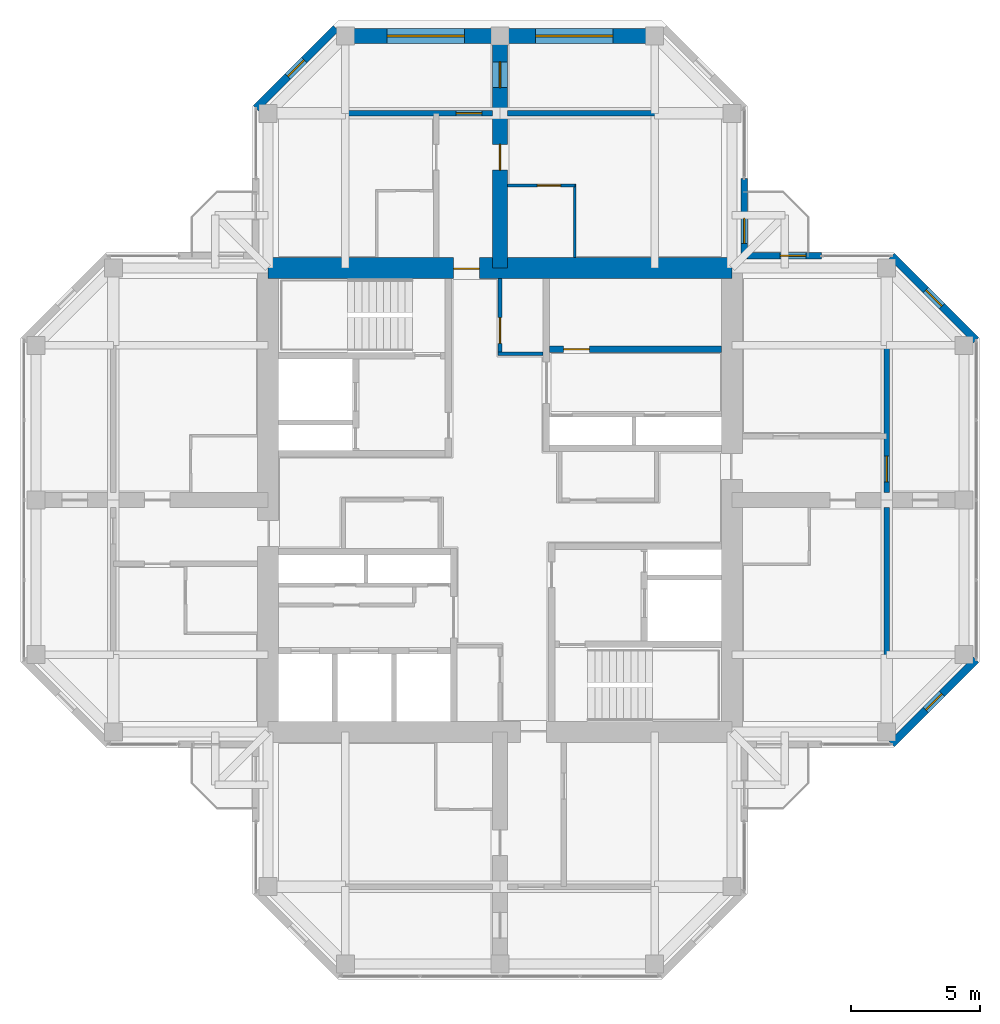
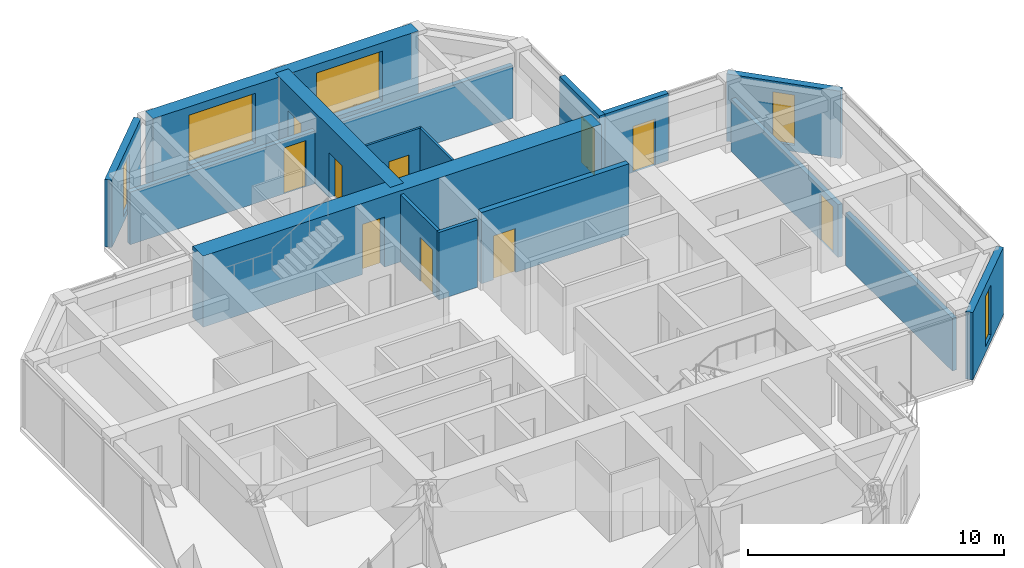
# One storey, part 11 of 13: 17 walls, 10 doors, 5 windows, 15 openings.
"""IFC4 building model written with IfcOpenShell, lengths in metres."""

import ifcopenshell
import ifcopenshell.guid

model = None  # the IFC model being written
_history = None  # IfcOwnerHistory: only IFC2X3 demands one
_inside = {}  # id of a spatial element -> (the spatial element, [elements in it])
_under = {}  # id of a project, library or spatial element -> (it, [spatial elements below it])
_declared = {}  # id of a project -> (the project, [libraries it declares])
_typed = {}  # id of a type object -> (the type object, [elements of that type])
_made_of = {}  # id of a material, layer set ... -> (it, [elements and type objects made of it])


def new_model(schema):
    """Start an empty IFC model of exactly this schema.

    Asked for "IFC4X3", IfcOpenShell would pick the latest addendum, in which some entities
    have other attributes; the version numbers below select the first issue.
    IFC2X3 requires an IfcOwnerHistory on every rooted entity: one is made here for all.
    """
    global model, _history
    if schema == "IFC4X3":
        model = ifcopenshell.file(schema_version=(4, 3, 0, 0))
    else:
        model = ifcopenshell.file(schema=schema)
    _inside.clear()
    _under.clear()
    _declared.clear()
    _typed.clear()
    _made_of.clear()
    _history = None
    if model.schema == "IFC2X3":
        org = make("IfcOrganization", Name="unknown")
        user = make(
            "IfcPersonAndOrganization",
            ThePerson=make("IfcPerson", FamilyName="unknown"),
            TheOrganization=org,
        )
        app = make(
            "IfcApplication",
            ApplicationDeveloper=org,
            Version="unknown",
            ApplicationFullName="unknown",
            ApplicationIdentifier="unknown",
        )
        _history = make(
            "IfcOwnerHistory",
            OwningUser=user,
            OwningApplication=app,
            ChangeAction="ADDED",
            CreationDate=0,
        )
    return model


def make(cls, **values):
    """One entity of the class cls with the attributes given. An attribute that is None is left unset."""
    return model.create_entity(
        cls, **{name: value for name, value in values.items() if value is not None}
    )


def rooted(cls, **values):
    """An entity with a GlobalId (a new one), such as an element, a storey or a relation."""
    return make(cls, GlobalId=ifcopenshell.guid.new(), OwnerHistory=_history, **values)


def si_unit(unit_type, name, prefix=None):
    """IfcSIUnit, for example si_unit("LENGTHUNIT", "METRE", prefix="MILLI")."""
    return make("IfcSIUnit", UnitType=unit_type, Prefix=prefix, Name=name)


def assignment(units):
    """IfcUnitAssignment: the units of a project."""
    return None if units is None else make("IfcUnitAssignment", Units=units)


def point(xyz):
    """IfcCartesianPoint."""
    return None if xyz is None else make("IfcCartesianPoint", Coordinates=xyz)


def direction(xyz):
    """IfcDirection."""
    return None if xyz is None else make("IfcDirection", DirectionRatios=xyz)


def frame(location, z_axis=None, x_axis=None):
    """IfcAxis2Placement3D, a coordinate frame: its origin and axes. An axis left out is left unset."""
    return make(
        "IfcAxis2Placement3D",
        Location=point(location),
        Axis=direction(z_axis),
        RefDirection=direction(x_axis),
    )


def frame_2d(location, x_axis=None):
    """IfcAxis2Placement2D, a coordinate frame in the plane: its origin and x axis."""
    return make(
        "IfcAxis2Placement2D", Location=point(location), RefDirection=direction(x_axis)
    )


def origin():
    """The frame at (0, 0, 0) with its axes left unset."""
    return frame((0.0, 0.0, 0.0))


def place(relative_to, where):
    """IfcLocalPlacement: puts the frame where relative to a parent placement (None: the world)."""
    return make(
        "IfcLocalPlacement", PlacementRelTo=relative_to, RelativePlacement=where
    )


def context(
    kind, dimensions, precision=None, world=None, true_north=None, identifier=None
):
    """IfcGeometricRepresentationContext, for example the 3D "Model" context."""
    return make(
        "IfcGeometricRepresentationContext",
        ContextIdentifier=identifier,
        ContextType=kind,
        CoordinateSpaceDimension=dimensions,
        Precision=precision,
        WorldCoordinateSystem=world,
        TrueNorth=true_north,
    )


def subcontext(parent, identifier, kind, view, scale=None):
    """IfcGeometricRepresentationSubContext, for example "Body" below "Model"."""
    return make(
        "IfcGeometricRepresentationSubContext",
        ContextIdentifier=identifier,
        ContextType=kind,
        ParentContext=parent,
        TargetScale=scale,
        TargetView=view,
    )


def project(units=None, contexts=None):
    """IfcProject with its units and contexts."""
    return rooted(
        "IfcProject",
        Name="project",
        RepresentationContexts=contexts,
        UnitsInContext=assignment(units),
    )


def spatial(cls, under=None, at=None, **own):
    """A site, building, storey or space (cls), placed at a placement, below another one or the project."""
    s = rooted(cls, ObjectPlacement=at, **own)
    if under is not None:
        _under.setdefault(under.id(), (under, []))[1].append(s)
    return s


def profile(cls, at=None, kind="AREA", **sizes):
    """A parametric profile (cls). Its sizes go by their IFC names, for example OverallWidth=200.0."""
    return make(cls, ProfileType=kind, Position=at, **sizes)


def rectangle(**sizes):
    """IfcRectangleProfileDef."""
    return profile("IfcRectangleProfileDef", **sizes)


def hollow_rectangle(**sizes):
    """IfcRectangleHollowProfileDef."""
    return profile("IfcRectangleHollowProfileDef", **sizes)


def extrude(swept, where, along, depth):
    """IfcExtrudedAreaSolid: the profile swept, set in the frame where, extruded along a direction by depth."""
    return make(
        "IfcExtrudedAreaSolid",
        SweptArea=swept,
        Position=where,
        ExtrudedDirection=direction(along),
        Depth=depth,
    )


def shape(context_of_items, identifier, shape_type, items):
    """IfcShapeRepresentation: the items that make up one representation, for example the "Body"."""
    return make(
        "IfcShapeRepresentation",
        ContextOfItems=context_of_items,
        RepresentationIdentifier=identifier,
        RepresentationType=shape_type,
        Items=items,
    )


def material(Name=None, Category=None):
    """IfcMaterial."""
    return make("IfcMaterial", Name=Name, Category=Category)


def layer(
    of_material, thickness, ventilated=None, Name=None, Category=None, Priority=None
):
    """IfcMaterialLayer: one layer of a wall or slab, of a material (None: an air gap)."""
    return make(
        "IfcMaterialLayer",
        Material=of_material,
        LayerThickness=thickness,
        IsVentilated=ventilated,
        Name=Name,
        Category=Category,
        Priority=Priority,
    )


def layer_set(layers, Name=None):
    """IfcMaterialLayerSet."""
    return make("IfcMaterialLayerSet", MaterialLayers=layers, LayerSetName=Name)


def constituent(of_material, Name=None, Category=None, fraction=None):
    """IfcMaterialConstituent: one of the materials an element consists of."""
    return make(
        "IfcMaterialConstituent",
        Name=Name,
        Material=of_material,
        Fraction=fraction,
        Category=Category,
    )


def constituent_set(constituents=None, Name=None):
    """IfcMaterialConstituentSet."""
    return make(
        "IfcMaterialConstituentSet", Name=Name, MaterialConstituents=constituents
    )


def made_of(thing, what):
    """Note that an element or type object is made of a material, layer set ...; save() writes the relation."""
    if what is not None:
        _made_of.setdefault(what.id(), (what, []))[1].append(thing)
    return thing


def type_object(cls, material=None, **own):
    """A type object (cls), such as IfcWallType, which elements share."""
    return made_of(rooted(cls, **own), material)


def element(
    cls,
    number,
    at=None,
    inside=None,
    cuts=None,
    type_object=None,
    material=None,
    context=None,
    identifier="Body",
    shape_type=None,
    held_by="IfcProductDefinitionShape",
    body=None,
    shapes=None,
    **own,
):
    """One element of the class cls, such as IfcWall. Its Tag is "e" and its number.

    at: its placement. inside: the storey or other place that contains it. cuts: it is an
    opening in that element (IfcRelVoidsElement). A single representation is given by context,
    identifier, shape_type and body (its items); several are given by shapes. held_by: the class
    of the entity that holds the representations. save() writes the other relations.
    """
    e = rooted(cls, Tag="e%d" % number, ObjectPlacement=at, **own)
    if body is not None:
        shapes = [shape(context, identifier, shape_type, body)]
    if shapes is not None:
        e.Representation = make(held_by, Representations=shapes)
    if inside is not None:
        _inside.setdefault(inside.id(), (inside, []))[1].append(e)
    if cuts is not None:
        rooted(
            "IfcRelVoidsElement", RelatingBuildingElement=cuts, RelatedOpeningElement=e
        )
    if type_object is not None:
        _typed.setdefault(type_object.id(), (type_object, []))[1].append(e)
    return made_of(e, material)


def fill(opening, filler):
    """IfcRelFillsElement: the door or window that sits in an opening."""
    return rooted(
        "IfcRelFillsElement",
        RelatingOpeningElement=opening,
        RelatedBuildingElement=filler,
    )


def aggregate(whole, parts):
    """IfcRelAggregates: a whole, such as a stair, and the parts it consists of."""
    return rooted("IfcRelAggregates", RelatingObject=whole, RelatedObjects=parts)


def save(model, path):
    """Write the relations noted so far, then the file.

    IfcRelAggregates (storeys below a building ...), IfcRelContainedInSpatialStructure (elements
    in a storey), IfcRelDefinesByType, IfcRelAssociatesMaterial and IfcRelDeclares: one each for
    every whole, place, type object, material and project.
    """
    for whole, parts in _under.values():
        aggregate(whole, parts)
    for where, things in _inside.values():
        rooted(
            "IfcRelContainedInSpatialStructure",
            RelatedElements=things,
            RelatingStructure=where,
        )
    for kind, things in _typed.values():
        rooted("IfcRelDefinesByType", RelatedObjects=things, RelatingType=kind)
    for what, things in _made_of.values():
        rooted("IfcRelAssociatesMaterial", RelatedObjects=things, RelatingMaterial=what)
    for by, libraries in _declared.values():
        rooted("IfcRelDeclares", RelatingContext=by, RelatedDefinitions=libraries)
    model.write(path)


model = new_model("IFC4")

# Units and contexts
model_context = context("Model", 3, precision=1e-05, world=origin(), true_north=direction((0.0, 1.0)))
body_context = subcontext(model_context, "Body", "Model", "MODEL_VIEW")
ifc_project = project(units=[si_unit("LENGTHUNIT", "METRE"), si_unit("AREAUNIT", "SQUARE_METRE"), si_unit("VOLUMEUNIT", "CUBIC_METRE"), si_unit("PLANEANGLEUNIT", "RADIAN"), si_unit("MASSUNIT", "GRAM", prefix="KILO")], contexts=[model_context])

# Site, building, storey
site_placement = place(None, origin())
site = spatial("IfcSite", under=ifc_project, at=site_placement, CompositionType="ELEMENT")
building_placement = place(site_placement, origin())
building = spatial("IfcBuilding", under=site, at=building_placement, Name="Torre Cruceta", CompositionType="ELEMENT")
storey_placement = place(building_placement, frame((0.0, 0.0, 274.699951171875)))
storey = spatial("IfcBuildingStorey", under=building, at=storey_placement, Name="L71", CompositionType="ELEMENT", Elevation=274.699951171875)

# Wall
ifc_material_1 = material(Name="Water-resistant plasterboard on steel studs", Category="steel")
ifc_layer_1 = layer(ifc_material_1, 0.10009765625)
ifc_layer_set_1 = layer_set([ifc_layer_1], Name="Water-resistant plasterboard on steel studs")
wall_type_1 = type_object("IfcWallType", Name="BATHROOM WALL 100", PredefinedType="PARTITIONING", material=ifc_layer_set_1)
wall_1_placement = place(storey_placement, frame((2.89990234375, 9.39990234375, 0.0), z_axis=(0.0, 0.0, 1.0), x_axis=(0.0, 1.0, 0.0)))
element("IfcWall", 1, at=wall_1_placement, inside=storey, type_object=wall_type_1, Name="PT4 L71-N-U1RBB", PredefinedType="PARTITIONING", context=body_context, shape_type="SweptSolid", body=[
    extrude(rectangle(XDim=2.85009765625, YDim=0.10009765625, at=frame_2d((1.425048828125, 0.0))), origin(), (0.0, 0.0, 1.0), 3.219970703125),
])

# Wall, opening, door
wall_2_placement = place(storey_placement, frame((2.89990234375, 12.199951171875, 0.0), z_axis=(0.0, 0.0, 1.0), x_axis=(-1.0, 0.0, 0.0)))
wall_2 = element("IfcWall", 2, at=wall_2_placement, inside=storey, type_object=wall_type_1, Name="PT4 L71-N-U1RBS", PredefinedType="PARTITIONING", context=body_context, shape_type="SweptSolid", body=[
    extrude(rectangle(XDim=2.599853515625, YDim=0.10009765625, at=frame_2d((1.2998046875, 0.0))), origin(), (0.0, 0.0, 1.0), 3.219970703125),
])
opening_1_placement = place(wall_2_placement, frame((0.550048828125, 0.0, 0.0)))
opening_1 = element("IfcOpeningElement", 3, at=opening_1_placement, cuts=wall_2, Name="Opening D7", PredefinedType="OPENING", context=body_context, shape_type="SweptSolid", body=[
    extrude(rectangle(XDim=0.89990234375, YDim=2.10009765625, at=frame_2d((0.449951171875, 1.050048828125))), frame((0.0, 0.06005859375, 0.0), z_axis=(0.0, -1.0, 0.0), x_axis=(1.0, 0.0, 0.0)), (0.0, 0.0, 1.0), 0.1201171875),
])
ifc_material_2 = material(Name="Timber door", Category="wood")
door_type_1 = type_object("IfcDoorType", Name="BATHROOM DOOR 900X2100", OperationType="SINGLE_SWING_LEFT", PredefinedType="DOOR", material=ifc_material_2)
door_1_placement = place(opening_1_placement, origin())
door_1 = element("IfcDoor", 4, at=door_1_placement, inside=storey, type_object=door_type_1, Name="D7 L71-N-U1RBS-D1", OperationType="SINGLE_SWING_LEFT", OverallHeight=2.10009765625, OverallWidth=0.89990234375, PredefinedType="DOOR", context=body_context, shape_type="SweptSolid", body=[
    extrude(rectangle(XDim=0.89990234375, YDim=2.10009765625, at=frame_2d((0.449951171875, 1.050048828125))), frame((0.0, 0.02490234375, 0.0), z_axis=(0.0, -1.0, 0.0), x_axis=(1.0, 0.0, 0.0)), (0.0, 0.0, 1.0), 0.050048828125),
])
fill(opening_1, door_1)

ifc_material_3 = material(Name="Concrete G60 (fck 60 MPa)", Category="concrete")
ifc_layer_2 = layer(ifc_material_3, 0.25)
ifc_layer_set_2 = layer_set([ifc_layer_2], Name="Concrete G60 (fck 60 MPa)")
wall_type_2 = type_object("IfcWallType", Name="CORE INNER WALL 250 G60", PredefinedType="SHEAR", material=ifc_layer_set_2)
wall_3_placement = place(storey_placement, frame((1.925048828125, 5.85009765625, 0.0), z_axis=(0.0, 0.0, 1.0), x_axis=(1.0, 0.0, 0.0)))
wall_3 = element("IfcWall", 5, at=wall_3_placement, inside=storey, type_object=wall_type_2, Name="CW4 L71 NE-LV", PredefinedType="SHEAR", context=body_context, shape_type="SweptSolid", body=[
    extrude(rectangle(XDim=6.675048828125, YDim=0.25, at=frame_2d((3.33740234375, 0.0))), origin(), (0.0, 0.0, 1.0), 3.400146484375),
])
opening_2_placement = place(wall_3_placement, frame((0.5458984375, 0.0, 0.0)))
opening_2 = element("IfcOpeningElement", 6, at=opening_2_placement, cuts=wall_3, Name="Opening D3", PredefinedType="OPENING", context=body_context, shape_type="SweptSolid", body=[
    extrude(rectangle(XDim=1.0, YDim=2.10009765625, at=frame_2d((0.5, 1.050048828125))), frame((0.0, 0.135009765625, 0.0), z_axis=(0.0, -1.0, 0.0), x_axis=(1.0, 0.0, 0.0)), (0.0, 0.0, 1.0), 0.27001953125),
])
ifc_material_4 = material(Name="Steel DX51D", Category="steel")
ifc_constituent_1 = constituent(ifc_material_4, Name="Leaf and frame")
ifc_material_5 = material(Name="Polyester powder coating", Category="paint")
ifc_constituent_2 = constituent(ifc_material_5, Name="Finish")
ifc_constituent_set_1 = constituent_set(constituents=[ifc_constituent_1, ifc_constituent_2], Name="Steel fire door")
door_type_2 = type_object("IfcDoorType", Name="FIRE DOOR 1000X2100", OperationType="SINGLE_SWING_LEFT", PredefinedType="DOOR", material=ifc_constituent_set_1)
door_2_placement = place(opening_2_placement, origin())
door_2 = element("IfcDoor", 7, at=door_2_placement, inside=storey, type_object=door_type_2, Name="D3 L71 NE-HR1", OperationType="SINGLE_SWING_LEFT", OverallHeight=2.10009765625, OverallWidth=1.0, PredefinedType="DOOR", context=body_context, shape_type="SweptSolid", body=[
    extrude(rectangle(XDim=1.0, YDim=2.10009765625, at=frame_2d((0.5, 1.050048828125))), frame((0.0, 0.02490234375, 0.0), z_axis=(0.0, -1.0, 0.0), x_axis=(1.0, 0.0, 0.0)), (0.0, 0.0, 1.0), 0.050048828125),
])
fill(opening_2, door_2)

ifc_material_6 = material(Name="Concrete G60 (fck 60 MPa)", Category="concrete")
ifc_layer_3 = layer(ifc_material_6, 0.800048828125)
ifc_layer_set_3 = layer_set([ifc_layer_3], Name="Concrete G60 (fck 60 MPa)")
wall_type_3 = type_object("IfcWallType", Name="CORE WALL 800 G60", PredefinedType="SHEAR", material=ifc_layer_set_3)
wall_4_placement = place(storey_placement, frame((9.0, 9.0, 0.0), z_axis=(0.0, 0.0, 1.0), x_axis=(-1.0, 0.0, 0.0)))
wall_4 = element("IfcWall", 8, at=wall_4_placement, inside=storey, type_object=wall_type_3, Name="CW3 L71 CW-N", PredefinedType="SHEAR", context=body_context, shape_type="SweptSolid", body=[
    extrude(rectangle(XDim=18.0, YDim=0.800048828125, at=frame_2d((9.0, 0.0))), origin(), (0.0, 0.0, 1.0), 3.400146484375),
])
opening_3_placement = place(wall_4_placement, frame((9.800048828125, 0.0, 0.0)))
opening_3 = element("IfcOpeningElement", 9, at=opening_3_placement, cuts=wall_4, Name="Opening D4", PredefinedType="OPENING", context=body_context, shape_type="SweptSolid", body=[
    extrude(rectangle(XDim=1.0, YDim=2.39990234375, at=frame_2d((0.5, 1.199951171875))), frame((0.0, 0.409912109375, 0.0), z_axis=(0.0, -1.0, 0.0), x_axis=(1.0, 0.0, 0.0)), (0.0, 0.0, 1.0), 0.820068359375),
])
ifc_material_7 = material(Name="Steel DX51D", Category="steel")
ifc_constituent_3 = constituent(ifc_material_7, Name="Leaf and frame")
ifc_material_8 = material(Name="Polyester powder coating", Category="paint")
ifc_constituent_4 = constituent(ifc_material_8, Name="Finish")
ifc_constituent_set_2 = constituent_set(constituents=[ifc_constituent_3, ifc_constituent_4], Name="Steel fire door")
door_type_3 = type_object("IfcDoorType", Name="CORE ARM DOOR 1000X2400", OperationType="SINGLE_SWING_RIGHT", PredefinedType="DOOR", material=ifc_constituent_set_2)
door_3_placement = place(opening_3_placement, origin())
door_3 = element("IfcDoor", 10, at=door_3_placement, inside=storey, type_object=door_type_3, Name="D4 L71 CW-N", OperationType="SINGLE_SWING_RIGHT", OverallHeight=2.39990234375, OverallWidth=1.0, PredefinedType="DOOR", context=body_context, shape_type="SweptSolid", body=[
    extrude(rectangle(XDim=1.0, YDim=2.39990234375, at=frame_2d((0.5, 1.199951171875))), frame((0.0, 0.05517578125, 0.0), z_axis=(0.0, -1.0, 0.0), x_axis=(1.0, 0.0, 0.0)), (0.0, 0.0, 1.0), 0.050048828125),
])
fill(opening_3, door_3)

# Wall, opening, window
ifc_material_9 = material(Name="Concrete G30 (fck 30 MPa)", Category="concrete")
ifc_layer_4 = layer(ifc_material_9, 0.300048828125)
ifc_layer_set_4 = layer_set([ifc_layer_4], Name="Concrete G30 (fck 30 MPa)")
wall_type_4 = type_object("IfcWallType", Name="EXPOSED CONCRETE FACADE WALL 300", PredefinedType="SOLIDWALL", material=ifc_layer_set_4)
wall_5_placement = place(storey_placement, frame((15.194580078125, -9.469970703125, 0.0), z_axis=(0.0, 0.0, 1.0), x_axis=(0.707106781187, 0.707106781187, 0.0)))
wall_5 = element("IfcWall", 11, at=wall_5_placement, inside=storey, type_object=wall_type_4, Name="EW1 facade wall L71 E chamfer 01", PredefinedType="SOLIDWALL", context=body_context, shape_type="SweptSolid", body=[
    extrude(rectangle(XDim=4.632080078125, YDim=0.300048828125, at=frame_2d((2.31591796875, 0.0))), origin(), (0.0, 0.0, 1.0), 3.219970703125),
])
opening_4_placement = place(wall_5_placement, frame((1.865966796875, 0.0, 0.300048828125)))
opening_4 = element("IfcOpeningElement", 12, at=opening_4_placement, cuts=wall_5, Name="Opening WN5", PredefinedType="OPENING", context=body_context, shape_type="SweptSolid", body=[
    extrude(rectangle(XDim=0.89990234375, YDim=2.39990234375, at=frame_2d((0.449951171875, 1.199951171875))), frame((0.0, 0.159912109375, 0.0), z_axis=(0.0, -1.0, 0.0), x_axis=(1.0, 0.0, 0.0)), (0.0, 0.0, 1.0), 0.320068359375),
])
ifc_material_10 = material(Name="Aluminium window frame", Category="aluminium")
ifc_constituent_5 = constituent(ifc_material_10, Name="Frame")
ifc_material_11 = material(Name="Laminated insulating glass unit, low-iron clear", Category="glass")
ifc_constituent_6 = constituent(ifc_material_11, Name="Glazing")
ifc_constituent_set_3 = constituent_set(constituents=[ifc_constituent_5, ifc_constituent_6], Name="Aluminium window")
window_type_1 = type_object("IfcWindowType", Name="CHAMFER SLOT WINDOW 900X2400", PartitioningType="SINGLE_PANEL", PredefinedType="WINDOW", material=ifc_constituent_set_3)
window_1_placement = place(opening_4_placement, origin())
window_1 = element("IfcWindow", 13, at=window_1_placement, inside=storey, type_object=window_type_1, Name="WN5 L71 E 1", OverallHeight=2.39990234375, OverallWidth=0.89990234375, PartitioningType="SINGLE_PANEL", PredefinedType="WINDOW", context=body_context, shape_type="SweptSolid", body=[
    extrude(hollow_rectangle(XDim=0.89990234375, YDim=2.39990234375, WallThickness=0.06005859375, at=frame_2d((0.449951171875, 1.199951171875))), frame((0.0, 0.030029296875, 0.0), z_axis=(0.0, -1.0, 0.0), x_axis=(1.0, 0.0, 0.0)), (0.0, 0.0, 1.0), 0.06005859375),
    extrude(rectangle(XDim=0.77880859375, YDim=2.27880859375, at=frame_2d((0.449951171875, 1.199951171875))), frame((0.0, 0.030029296875, 0.0), z_axis=(0.0, -1.0, 0.0), x_axis=(1.0, 0.0, 0.0)), (0.0, 0.0, 1.0), 0.06005859375),
])
fill(opening_4, window_1)

wall_6_placement = place(storey_placement, frame((18.469970703125, 6.194580078125, 0.0), z_axis=(0.0, 0.0, 1.0), x_axis=(-0.707106781187, 0.707106781187, 0.0)))
wall_6 = element("IfcWall", 14, at=wall_6_placement, inside=storey, type_object=wall_type_4, Name="EW1 facade wall L71 E chamfer 03", PredefinedType="SOLIDWALL", context=body_context, shape_type="SweptSolid", body=[
    extrude(rectangle(XDim=4.632080078125, YDim=0.300048828125, at=frame_2d((2.31591796875, 0.0))), origin(), (0.0, 0.0, 1.0), 3.219970703125),
])
opening_5_placement = place(wall_6_placement, frame((1.865966796875, 0.0, 0.300048828125)))
opening_5 = element("IfcOpeningElement", 15, at=opening_5_placement, cuts=wall_6, Name="Opening WN5", PredefinedType="OPENING", context=body_context, shape_type="SweptSolid", body=[
    extrude(rectangle(XDim=0.89990234375, YDim=2.39990234375, at=frame_2d((0.449951171875, 1.199951171875))), frame((0.0, 0.159912109375, 0.0), z_axis=(0.0, -1.0, 0.0), x_axis=(1.0, 0.0, 0.0)), (0.0, 0.0, 1.0), 0.320068359375),
])
window_2_placement = place(opening_5_placement, origin())
window_2 = element("IfcWindow", 16, at=window_2_placement, inside=storey, type_object=window_type_1, Name="WN5 L71 E 1", OverallHeight=2.39990234375, OverallWidth=0.89990234375, PartitioningType="SINGLE_PANEL", PredefinedType="WINDOW", context=body_context, shape_type="SweptSolid", body=[
    extrude(hollow_rectangle(XDim=0.89990234375, YDim=2.39990234375, WallThickness=0.06005859375, at=frame_2d((0.449951171875, 1.199951171875))), frame((0.0, 0.030029296875, 0.0), z_axis=(0.0, -1.0, 0.0), x_axis=(1.0, 0.0, 0.0)), (0.0, 0.0, 1.0), 0.06005859375),
    extrude(rectangle(XDim=0.77880859375, YDim=2.27880859375, at=frame_2d((0.449951171875, 1.199951171875))), frame((0.0, 0.030029296875, 0.0), z_axis=(0.0, -1.0, 0.0), x_axis=(1.0, 0.0, 0.0)), (0.0, 0.0, 1.0), 0.06005859375),
])
fill(opening_5, window_2)

wall_7_placement = place(storey_placement, frame((-6.36474609375, 18.300048828125, 0.0), z_axis=(0.0, 0.0, 1.0), x_axis=(-0.70707898447, -0.707134576811, 0.0)))
wall_7 = element("IfcWall", 17, at=wall_7_placement, inside=storey, type_object=wall_type_4, Name="EW1 facade wall L71 N chamfer 08", PredefinedType="SOLIDWALL", context=body_context, shape_type="SweptSolid", body=[
    extrude(rectangle(XDim=4.3916015625, YDim=0.300048828125, at=frame_2d((2.19580078125, 0.0))), origin(), (0.0, 0.0, 1.0), 3.219970703125),
])
opening_6_placement = place(wall_7_placement, frame((1.745849609375, 0.0, 0.300048828125)))
opening_6 = element("IfcOpeningElement", 18, at=opening_6_placement, cuts=wall_7, Name="Opening WN5", PredefinedType="OPENING", context=body_context, shape_type="SweptSolid", body=[
    extrude(rectangle(XDim=0.89990234375, YDim=2.39990234375, at=frame_2d((0.449951171875, 1.199951171875))), frame((0.0, 0.159912109375, 0.0), z_axis=(0.0, -1.0, 0.0), x_axis=(1.0, 0.0, 0.0)), (0.0, 0.0, 1.0), 0.320068359375),
])
window_3_placement = place(opening_6_placement, origin())
window_3 = element("IfcWindow", 19, at=window_3_placement, inside=storey, type_object=window_type_1, Name="WN5 L71 N 1", OverallHeight=2.39990234375, OverallWidth=0.89990234375, PartitioningType="SINGLE_PANEL", PredefinedType="WINDOW", context=body_context, shape_type="SweptSolid", body=[
    extrude(hollow_rectangle(XDim=0.89990234375, YDim=2.39990234375, WallThickness=0.06005859375, at=frame_2d((0.449951171875, 1.199951171875))), frame((0.0, 0.030029296875, 0.0), z_axis=(0.0, -1.0, 0.0), x_axis=(1.0, 0.0, 0.0)), (0.0, 0.0, 1.0), 0.06005859375),
    extrude(rectangle(XDim=0.77880859375, YDim=2.27880859375, at=frame_2d((0.449951171875, 1.199951171875))), frame((0.0, 0.030029296875, 0.0), z_axis=(0.0, -1.0, 0.0), x_axis=(1.0, 0.0, 0.0)), (0.0, 0.0, 1.0), 0.06005859375),
])
fill(opening_6, window_3)

# Wall, openings, windows
ifc_material_12 = material(Name="Concrete G60 (fck 60 MPa)", Category="concrete")
ifc_layer_5 = layer(ifc_material_12, 0.60009765625)
ifc_layer_set_5 = layer_set([ifc_layer_5], Name="Concrete G60 (fck 60 MPa)")
wall_type_5 = type_object("IfcWallType", Name="NOSE WALL 600 G60", PredefinedType="SHEAR", material=ifc_layer_set_5)
wall_8_placement = place(storey_placement, frame((6.0, 18.0, 0.0), z_axis=(0.0, 0.0, 1.0), x_axis=(-1.0, 0.0, 0.0)))
wall_8 = element("IfcWall", 20, at=wall_8_placement, inside=storey, type_object=wall_type_5, Name="NW3 nose wall L71 N", PredefinedType="SHEAR", context=body_context, shape_type="SweptSolid", body=[
    extrude(rectangle(XDim=12.0, YDim=0.60009765625, at=frame_2d((6.0, 0.0))), origin(), (0.0, 0.0, 1.0), 3.400146484375),
])
opening_7_placement = place(wall_8_placement, frame((1.625, 0.0, 0.60009765625)))
opening_7 = element("IfcOpeningElement", 21, at=opening_7_placement, cuts=wall_8, Name="Opening WN6", PredefinedType="OPENING", context=body_context, shape_type="SweptSolid", body=[
    extrude(rectangle(XDim=3.0, YDim=2.39990234375, at=frame_2d((1.5, 1.199951171875))), frame((0.0, 0.31005859375, 0.0), z_axis=(0.0, -1.0, 0.0), x_axis=(1.0, 0.0, 0.0)), (0.0, 0.0, 1.0), 0.6201171875),
])
opening_8_placement = place(wall_8_placement, frame((7.375, 0.0, 0.60009765625)))
opening_8 = element("IfcOpeningElement", 22, at=opening_8_placement, cuts=wall_8, Name="Opening WN6", PredefinedType="OPENING", context=body_context, shape_type="SweptSolid", body=[
    extrude(rectangle(XDim=3.0, YDim=2.39990234375, at=frame_2d((1.5, 1.199951171875))), frame((0.0, 0.31005859375, 0.0), z_axis=(0.0, -1.0, 0.0), x_axis=(1.0, 0.0, 0.0)), (0.0, 0.0, 1.0), 0.6201171875),
])
ifc_material_13 = material(Name="Aluminium window frame", Category="aluminium")
ifc_constituent_7 = constituent(ifc_material_13, Name="Frame")
ifc_material_14 = material(Name="Laminated insulating glass unit, low-iron clear", Category="glass")
ifc_constituent_8 = constituent(ifc_material_14, Name="Glazing")
ifc_constituent_set_4 = constituent_set(constituents=[ifc_constituent_7, ifc_constituent_8], Name="Aluminium window")
window_type_2 = type_object("IfcWindowType", Name="NOSE WALL WINDOW 3000X2400", PartitioningType="SINGLE_PANEL", PredefinedType="WINDOW", material=ifc_constituent_set_4)
window_4_placement = place(opening_7_placement, origin())
window_4 = element("IfcWindow", 23, at=window_4_placement, inside=storey, type_object=window_type_2, Name="WN6 L71 N 1", OverallHeight=2.39990234375, OverallWidth=3.0, PartitioningType="SINGLE_PANEL", PredefinedType="WINDOW", context=body_context, shape_type="SweptSolid", body=[
    extrude(hollow_rectangle(XDim=3.0, YDim=2.39990234375, WallThickness=0.06005859375, at=frame_2d((1.5, 1.199951171875))), frame((0.0, 0.030029296875, 0.0), z_axis=(0.0, -1.0, 0.0), x_axis=(1.0, 0.0, 0.0)), (0.0, 0.0, 1.0), 0.06005859375),
    extrude(rectangle(XDim=2.87890625, YDim=2.27880859375, at=frame_2d((1.5, 1.199951171875))), frame((0.0, 0.030029296875, 0.0), z_axis=(0.0, -1.0, 0.0), x_axis=(1.0, 0.0, 0.0)), (0.0, 0.0, 1.0), 0.06005859375),
])
fill(opening_7, window_4)
window_5_placement = place(opening_8_placement, origin())
window_5 = element("IfcWindow", 24, at=window_5_placement, inside=storey, type_object=window_type_2, Name="WN6 L71 N 2", OverallHeight=2.39990234375, OverallWidth=3.0, PartitioningType="SINGLE_PANEL", PredefinedType="WINDOW", context=body_context, shape_type="SweptSolid", body=[
    extrude(hollow_rectangle(XDim=3.0, YDim=2.39990234375, WallThickness=0.06005859375, at=frame_2d((1.5, 1.199951171875))), frame((0.0, 0.030029296875, 0.0), z_axis=(0.0, -1.0, 0.0), x_axis=(1.0, 0.0, 0.0)), (0.0, 0.0, 1.0), 0.06005859375),
    extrude(rectangle(XDim=2.87890625, YDim=2.27880859375, at=frame_2d((1.5, 1.199951171875))), frame((0.0, 0.030029296875, 0.0), z_axis=(0.0, -1.0, 0.0), x_axis=(1.0, 0.0, 0.0)), (0.0, 0.0, 1.0), 0.06005859375),
])
fill(opening_8, window_5)

# Wall, opening, door
ifc_material_15 = material(Name="Plasterboard on steel studs", Category="steel")
ifc_layer_6 = layer(ifc_material_15, 0.14990234375)
ifc_layer_set_6 = layer_set([ifc_layer_6], Name="Plasterboard on steel studs")
wall_type_6 = type_object("IfcWallType", Name="PARTITION 150", PredefinedType="PARTITIONING", material=ifc_layer_set_6)
wall_9_placement = place(storey_placement, frame((0.0, 5.675048828125, 0.0), z_axis=(0.0, 0.0, 1.0), x_axis=(0.0, 1.0, 0.0)))
wall_9 = element("IfcWall", 25, at=wall_9_placement, inside=storey, type_object=wall_type_6, Name="PT1 L71-CORE-LEGN-E-W1", PredefinedType="PARTITIONING", context=body_context, shape_type="SweptSolid", body=[
    extrude(rectangle(XDim=2.925048828125, YDim=0.14990234375, at=frame_2d((1.46240234375, 0.0))), origin(), (0.0, 0.0, 1.0), 3.219970703125),
])
opening_9_placement = place(wall_9_placement, frame((0.39990234375, 0.0, 0.0)))
opening_9 = element("IfcOpeningElement", 26, at=opening_9_placement, cuts=wall_9, Name="Opening D3", PredefinedType="OPENING", context=body_context, shape_type="SweptSolid", body=[
    extrude(rectangle(XDim=1.0, YDim=2.10009765625, at=frame_2d((0.5, 1.050048828125))), frame((0.0, 0.0849609375, 0.0), z_axis=(0.0, -1.0, 0.0), x_axis=(1.0, 0.0, 0.0)), (0.0, 0.0, 1.0), 0.169921875),
])
door_4_placement = place(opening_9_placement, frame((1.0, 0.0, 0.0), z_axis=(0.0, 0.0, 1.0), x_axis=(-1.0, 0.0, 0.0)))
door_4 = element("IfcDoor", 27, at=door_4_placement, inside=storey, type_object=door_type_2, Name="D3 L71-CORE-LEGN-E-W1-D1", OperationType="SINGLE_SWING_RIGHT", OverallHeight=2.10009765625, OverallWidth=1.0, PredefinedType="DOOR", context=body_context, shape_type="SweptSolid", body=[
    extrude(rectangle(XDim=1.0, YDim=2.10009765625, at=frame_2d((0.5, 1.050048828125))), frame((0.0, 0.025146484375, 0.0), z_axis=(0.0, -1.0, 0.0), x_axis=(1.0, 0.0, 0.0)), (0.0, 0.0, 1.0), 0.050048828125),
])
fill(opening_9, door_4)

# Wall
wall_10_placement = place(storey_placement, frame((1.675048828125, 5.675048828125, 0.0), z_axis=(0.0, 0.0, 1.0), x_axis=(-1.0, 0.0, 0.0)))
element("IfcWall", 28, at=wall_10_placement, inside=storey, type_object=wall_type_6, Name="PT1 L71-CORE-LEGN-E-W2", PredefinedType="PARTITIONING", context=body_context, shape_type="SweptSolid", body=[
    extrude(rectangle(XDim=1.75, YDim=0.14990234375, at=frame_2d((0.875, 0.0))), origin(), (0.0, 0.0, 1.0), 3.219970703125),
])

# Wall, openings, doors
ifc_material_16 = material(Name="Concrete G60 (fck 60 MPa)", Category="concrete")
ifc_layer_7 = layer(ifc_material_16, 0.60009765625)
ifc_layer_set_7 = layer_set([ifc_layer_7], Name="Concrete G60 (fck 60 MPa)")
wall_type_7 = type_object("IfcWallType", Name="SPINE WALL 600 G60", PredefinedType="SHEAR", material=ifc_layer_set_7)
wall_11_placement = place(storey_placement, frame((0.0, 9.0, 0.0), z_axis=(0.0, 0.0, 1.0), x_axis=(0.0, 1.0, 0.0)))
wall_11 = element("IfcWall", 29, at=wall_11_placement, inside=storey, type_object=wall_type_7, Name="SW5 spine wall L71 N", PredefinedType="SHEAR", context=body_context, shape_type="SweptSolid", body=[
    extrude(rectangle(XDim=9.0, YDim=0.60009765625, at=frame_2d((4.5, 0.0))), origin(), (0.0, 0.0, 1.0), 3.400146484375),
])
opening_10_placement = place(wall_11_placement, frame((3.800048828125, 0.0, 0.0)))
opening_10 = element("IfcOpeningElement", 30, at=opening_10_placement, cuts=wall_11, Name="Opening D6", PredefinedType="OPENING", context=body_context, shape_type="SweptSolid", body=[
    extrude(rectangle(XDim=1.0, YDim=2.14990234375, at=frame_2d((0.5, 1.074951171875))), frame((0.0, 0.31005859375, 0.0), z_axis=(0.0, -1.0, 0.0), x_axis=(1.0, 0.0, 0.0)), (0.0, 0.0, 1.0), 0.6201171875),
])
opening_11_placement = place(wall_11_placement, frame((7.0, 0.0, 0.0)))
opening_11 = element("IfcOpeningElement", 31, at=opening_11_placement, cuts=wall_11, Name="Opening D14", PredefinedType="OPENING", context=body_context, shape_type="SweptSolid", body=[
    extrude(rectangle(XDim=1.0, YDim=2.199951171875, at=frame_2d((0.5, 1.10009765625))), frame((0.0, 0.31005859375, 0.0), z_axis=(0.0, -1.0, 0.0), x_axis=(1.0, 0.0, 0.0)), (0.0, 0.0, 1.0), 0.6201171875),
])
ifc_material_17 = material(Name="Steel DX51D", Category="steel")
ifc_constituent_9 = constituent(ifc_material_17, Name="Leaf and frame")
ifc_material_18 = material(Name="Polyester powder coating", Category="paint")
ifc_constituent_10 = constituent(ifc_material_18, Name="Finish")
ifc_material_19 = material(Name="Fire-resisting glass", Category="glass")
ifc_constituent_11 = constituent(ifc_material_19, Name="Vision panel")
ifc_constituent_set_5 = constituent_set(constituents=[ifc_constituent_9, ifc_constituent_10, ifc_constituent_11], Name="Steel fire door with vision panel")
door_type_4 = type_object("IfcDoorType", Name="FIRE DOOR VISION PANEL 1000X2200", OperationType="SINGLE_SWING_RIGHT", PredefinedType="DOOR", material=ifc_constituent_set_5)
door_5_placement = place(opening_11_placement, origin())
door_5 = element("IfcDoor", 32, at=door_5_placement, inside=storey, type_object=door_type_4, Name="D14 L71-N-SP2", OperationType="SINGLE_SWING_RIGHT", OverallHeight=2.199951171875, OverallWidth=1.0, PredefinedType="DOOR", context=body_context, shape_type="SweptSolid", body=[
    extrude(rectangle(XDim=1.0, YDim=2.199951171875, at=frame_2d((0.5, 1.10009765625))), frame((0.0, 0.02490234375, 0.0), z_axis=(0.0, -1.0, 0.0), x_axis=(1.0, 0.0, 0.0)), (0.0, 0.0, 1.0), 0.050048828125),
])
fill(opening_11, door_5)
ifc_material_20 = material(Name="Timber fire door", Category="wood")
door_type_5 = type_object("IfcDoorType", Name="UNIT ENTRANCE DOOR 1000X2150", OperationType="SINGLE_SWING_LEFT", PredefinedType="DOOR", material=ifc_material_20)
door_6_placement = place(opening_10_placement, frame((1.0, 0.0, 0.0), z_axis=(0.0, 0.0, 1.0), x_axis=(-1.0, 0.0, 0.0)))
door_6 = element("IfcDoor", 33, at=door_6_placement, inside=storey, type_object=door_type_5, Name="D6 L71-N-SP1", OperationType="SINGLE_SWING_RIGHT", OverallHeight=2.14990234375, OverallWidth=1.0, PredefinedType="DOOR", context=body_context, shape_type="SweptSolid", body=[
    extrude(rectangle(XDim=1.0, YDim=2.14990234375, at=frame_2d((0.5, 1.074951171875))), frame((0.0, 0.025146484375, 0.0), z_axis=(0.0, -1.0, 0.0), x_axis=(1.0, 0.0, 0.0)), (0.0, 0.0, 1.0), 0.050048828125),
])
fill(opening_10, door_6)

# Wall
ifc_material_21 = material(Name="Concrete G25 (fck 25 MPa)", Category="concrete")
ifc_layer_8 = layer(ifc_material_21, 0.199951171875)
ifc_layer_set_8 = layer_set([ifc_layer_8], Name="Concrete G25 (fck 25 MPa)")
wall_type_8 = type_object("IfcWallType", Name="UNIT SEPARATING WALL 200", PredefinedType="SOLIDWALL", material=ifc_layer_set_8)
wall_12_placement = place(storey_placement, frame((8.64990234375, 15.0, 0.0), z_axis=(0.0, 0.0, 1.0), x_axis=(-1.0, 0.0, 0.0)))
element("IfcWall", 34, at=wall_12_placement, inside=storey, type_object=wall_type_8, Name="PT2 L71-N-ENDa", PredefinedType="SOLIDWALL", context=body_context, shape_type="SweptSolid", body=[
    extrude(rectangle(XDim=8.349853515625, YDim=0.199951171875, at=frame_2d((4.1748046875, 0.0))), origin(), (0.0, 0.0, 1.0), 2.52001953125),
])

# Wall, opening, door
wall_13_placement = place(storey_placement, frame((-0.300048828125, 15.0, 0.0), z_axis=(0.0, 0.0, 1.0), x_axis=(-1.0, 0.0, 0.0)))
wall_13 = element("IfcWall", 35, at=wall_13_placement, inside=storey, type_object=wall_type_8, Name="PT2 L71-N-ENDb", PredefinedType="SOLIDWALL", context=body_context, shape_type="SweptSolid", body=[
    extrude(rectangle(XDim=8.349853515625, YDim=0.199951171875, at=frame_2d((4.1748046875, 0.0))), origin(), (0.0, 0.0, 1.0), 2.52001953125),
])
opening_12_placement = place(wall_13_placement, frame((0.39990234375, 0.0, 0.0)))
opening_12 = element("IfcOpeningElement", 36, at=opening_12_placement, cuts=wall_13, Name="Opening D14", PredefinedType="OPENING", context=body_context, shape_type="SweptSolid", body=[
    extrude(rectangle(XDim=1.0, YDim=2.199951171875, at=frame_2d((0.5, 1.10009765625))), frame((0.0, 0.10986328125, 0.0), z_axis=(0.0, -1.0, 0.0), x_axis=(1.0, 0.0, 0.0)), (0.0, 0.0, 1.0), 0.219970703125),
])
door_7_placement = place(opening_12_placement, frame((1.0, 0.0, 0.0), z_axis=(0.0, 0.0, 1.0), x_axis=(-1.0, 0.0, 0.0)))
door_7 = element("IfcDoor", 37, at=door_7_placement, inside=storey, type_object=door_type_4, Name="D14 L71-N-ENDb-D1", OperationType="SINGLE_SWING_RIGHT", OverallHeight=2.199951171875, OverallWidth=1.0, PredefinedType="DOOR", context=body_context, shape_type="SweptSolid", body=[
    extrude(rectangle(XDim=1.0, YDim=2.199951171875, at=frame_2d((0.5, 1.10009765625))), frame((0.0, 0.025146484375, 0.0), z_axis=(0.0, -1.0, 0.0), x_axis=(1.0, 0.0, 0.0)), (0.0, 0.0, 1.0), 0.050048828125),
])
fill(opening_12, door_7)

# Wall
wall_14_placement = place(storey_placement, frame((15.0, -8.64990234375, 0.0), z_axis=(0.0, 0.0, 1.0), x_axis=(0.0, 1.0, 0.0)))
element("IfcWall", 38, at=wall_14_placement, inside=storey, type_object=wall_type_8, Name="PT2 L71-E-ENDa", PredefinedType="SOLIDWALL", context=body_context, shape_type="SweptSolid", body=[
    extrude(rectangle(XDim=8.349853515625, YDim=0.199951171875, at=frame_2d((4.1748046875, 0.0))), origin(), (0.0, 0.0, 1.0), 2.52001953125),
])

# Wall, opening, door
wall_15_placement = place(storey_placement, frame((15.0, 0.300048828125, 0.0), z_axis=(0.0, 0.0, 1.0), x_axis=(0.0, 1.0, 0.0)))
wall_15 = element("IfcWall", 39, at=wall_15_placement, inside=storey, type_object=wall_type_8, Name="PT2 L71-E-ENDb", PredefinedType="SOLIDWALL", context=body_context, shape_type="SweptSolid", body=[
    extrude(rectangle(XDim=8.349853515625, YDim=0.199951171875, at=frame_2d((4.1748046875, 0.0))), origin(), (0.0, 0.0, 1.0), 2.52001953125),
])
opening_13_placement = place(wall_15_placement, frame((0.39990234375, 0.0, 0.0)))
opening_13 = element("IfcOpeningElement", 40, at=opening_13_placement, cuts=wall_15, Name="Opening D14", PredefinedType="OPENING", context=body_context, shape_type="SweptSolid", body=[
    extrude(rectangle(XDim=1.0, YDim=2.199951171875, at=frame_2d((0.5, 1.10009765625))), frame((0.0, 0.10986328125, 0.0), z_axis=(0.0, -1.0, 0.0), x_axis=(1.0, 0.0, 0.0)), (0.0, 0.0, 1.0), 0.219970703125),
])
door_8_placement = place(opening_13_placement, frame((1.0, 0.0, 0.0), z_axis=(0.0, 0.0, 1.0), x_axis=(-1.0, 0.0, 0.0)))
door_8 = element("IfcDoor", 41, at=door_8_placement, inside=storey, type_object=door_type_4, Name="D14 L71-E-ENDb-D1", OperationType="SINGLE_SWING_LEFT", OverallHeight=2.199951171875, OverallWidth=1.0, PredefinedType="DOOR", context=body_context, shape_type="SweptSolid", body=[
    extrude(rectangle(XDim=1.0, YDim=2.199951171875, at=frame_2d((0.5, 1.10009765625))), frame((0.0, 0.025146484375, 0.0), z_axis=(0.0, -1.0, 0.0), x_axis=(1.0, 0.0, 0.0)), (0.0, 0.0, 1.0), 0.050048828125),
])
fill(opening_13, door_8)

ifc_material_22 = material(Name="Concrete G30 (fck 30 MPa)", Category="concrete")
ifc_layer_9 = layer(ifc_material_22, 0.25)
ifc_layer_set_9 = layer_set([ifc_layer_9], Name="Concrete G30 (fck 30 MPa)")
wall_type_9 = type_object("IfcWallType", Name="WINTER GARDEN WALL 250", PredefinedType="SOLIDWALL", material=ifc_layer_set_9)
wall_16_placement = place(storey_placement, frame((12.469970703125, 9.469970703125, 0.0), z_axis=(0.0, 0.0, 1.0), x_axis=(-1.0, 0.0, 0.0)))
wall_16 = element("IfcWall", 42, at=wall_16_placement, inside=storey, type_object=wall_type_9, Name="EW2 winter garden wall L71 04", PredefinedType="SOLIDWALL", context=body_context, shape_type="SweptSolid", body=[
    extrude(rectangle(XDim=2.875, YDim=0.25, at=frame_2d((1.4375, 0.0))), origin(), (0.0, 0.0, 1.0), 3.219970703125),
])
opening_14_placement = place(wall_16_placement, frame((0.60009765625, 0.0, 0.0)))
opening_14 = element("IfcOpeningElement", 43, at=opening_14_placement, cuts=wall_16, Name="Opening D10", PredefinedType="OPENING", context=body_context, shape_type="SweptSolid", body=[
    extrude(rectangle(XDim=1.0, YDim=2.199951171875, at=frame_2d((0.5, 1.10009765625))), frame((0.0, 0.135009765625, 0.0), z_axis=(0.0, -1.0, 0.0), x_axis=(1.0, 0.0, 0.0)), (0.0, 0.0, 1.0), 0.27001953125),
])
ifc_material_23 = material(Name="Aluminium door frame", Category="aluminium")
ifc_constituent_12 = constituent(ifc_material_23, Name="Frame")
ifc_material_24 = material(Name="Laminated safety glass", Category="glass")
ifc_constituent_13 = constituent(ifc_material_24, Name="Glazing")
ifc_constituent_set_6 = constituent_set(constituents=[ifc_constituent_12, ifc_constituent_13], Name="Aluminium glazed door")
door_type_6 = type_object("IfcDoorType", Name="BALCONY DOOR 1000X2200", OperationType="SINGLE_SWING_RIGHT", PredefinedType="DOOR", material=ifc_constituent_set_6)
door_9_placement = place(opening_14_placement, origin())
door_9 = element("IfcDoor", 44, at=door_9_placement, inside=storey, type_object=door_type_6, Name="D10 balcony door L71 04", OperationType="SINGLE_SWING_RIGHT", OverallHeight=2.199951171875, OverallWidth=1.0, PredefinedType="DOOR", context=body_context, shape_type="SweptSolid", body=[
    extrude(hollow_rectangle(XDim=1.0, YDim=2.199951171875, WallThickness=0.06005859375, at=frame_2d((0.5, 1.10009765625))), frame((0.0, 0.02490234375, 0.0), z_axis=(0.0, -1.0, 0.0), x_axis=(1.0, 0.0, 0.0)), (0.0, 0.0, 1.0), 0.050048828125),
    extrude(rectangle(XDim=0.87890625, YDim=2.078857421875, at=frame_2d((0.5, 1.10009765625))), frame((0.0, 0.02490234375, 0.0), z_axis=(0.0, -1.0, 0.0), x_axis=(1.0, 0.0, 0.0)), (0.0, 0.0, 1.0), 0.050048828125),
])
fill(opening_14, door_9)

wall_17_placement = place(storey_placement, frame((9.469970703125, 9.344970703125, 0.0), z_axis=(0.0, 0.0, 1.0), x_axis=(0.0, 1.0, 0.0)))
wall_17 = element("IfcWall", 45, at=wall_17_placement, inside=storey, type_object=wall_type_9, Name="EW2 winter garden wall L71 05", PredefinedType="SOLIDWALL", context=body_context, shape_type="SweptSolid", body=[
    extrude(rectangle(XDim=3.125, YDim=0.25, at=frame_2d((1.5625, 0.0))), origin(), (0.0, 0.0, 1.0), 3.219970703125),
])
opening_15_placement = place(wall_17_placement, frame((0.60009765625, 0.0, 0.0)))
opening_15 = element("IfcOpeningElement", 46, at=opening_15_placement, cuts=wall_17, Name="Opening D10", PredefinedType="OPENING", context=body_context, shape_type="SweptSolid", body=[
    extrude(rectangle(XDim=1.0, YDim=2.199951171875, at=frame_2d((0.5, 1.10009765625))), frame((0.0, 0.135009765625, 0.0), z_axis=(0.0, -1.0, 0.0), x_axis=(1.0, 0.0, 0.0)), (0.0, 0.0, 1.0), 0.27001953125),
])
door_10_placement = place(opening_15_placement, origin())
door_10 = element("IfcDoor", 47, at=door_10_placement, inside=storey, type_object=door_type_6, Name="D10 balcony door L71 05", OperationType="SINGLE_SWING_LEFT", OverallHeight=2.199951171875, OverallWidth=1.0, PredefinedType="DOOR", context=body_context, shape_type="SweptSolid", body=[
    extrude(hollow_rectangle(XDim=1.0, YDim=2.199951171875, WallThickness=0.06005859375, at=frame_2d((0.5, 1.10009765625))), frame((0.0, 0.02490234375, 0.0), z_axis=(0.0, -1.0, 0.0), x_axis=(1.0, 0.0, 0.0)), (0.0, 0.0, 1.0), 0.050048828125),
    extrude(rectangle(XDim=0.87890625, YDim=2.078857421875, at=frame_2d((0.5, 1.10009765625))), frame((0.0, 0.02490234375, 0.0), z_axis=(0.0, -1.0, 0.0), x_axis=(1.0, 0.0, 0.0)), (0.0, 0.0, 1.0), 0.050048828125),
])
fill(opening_15, door_10)

save(model, "model.ifc")
